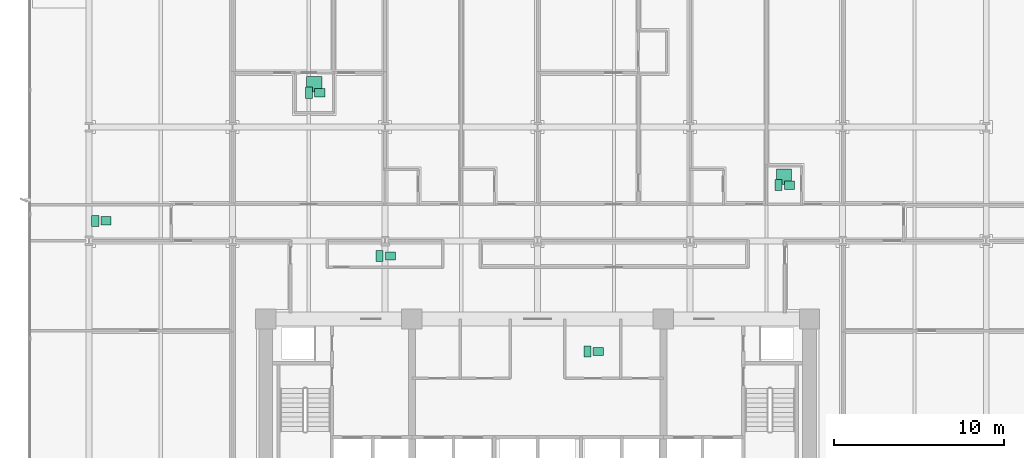
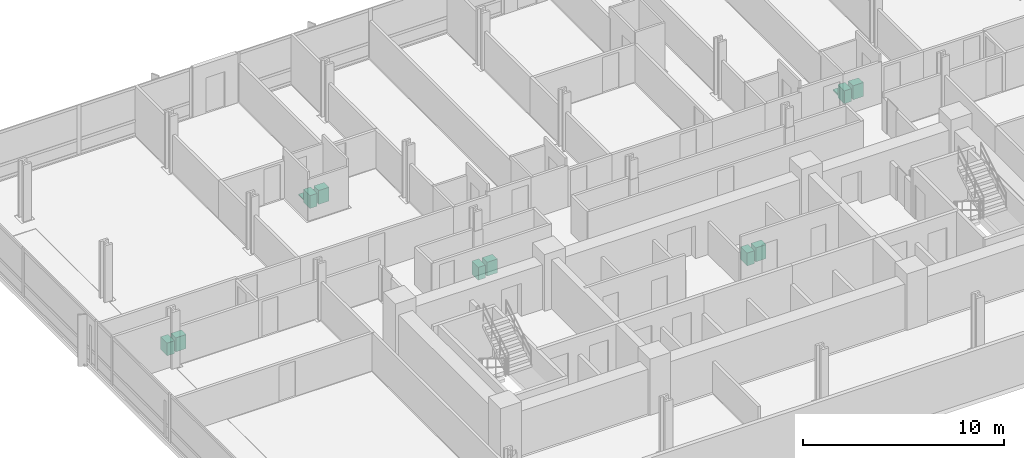
# One storey, part 15 of 15: 12 sanitary terminals.
"""IFC4 building model written with IfcOpenShell, lengths in metres."""

import ifcopenshell
import ifcopenshell.guid

model = None  # the IFC model being written
_history = None  # IfcOwnerHistory: only IFC2X3 demands one
_inside = {}  # id of a spatial element -> (the spatial element, [elements in it])
_under = {}  # id of a project, library or spatial element -> (it, [spatial elements below it])
_declared = {}  # id of a project -> (the project, [libraries it declares])
_typed = {}  # id of a type object -> (the type object, [elements of that type])
_made_of = {}  # id of a material, layer set ... -> (it, [elements and type objects made of it])


def new_model(schema):
    """Start an empty IFC model of exactly this schema.

    Asked for "IFC4X3", IfcOpenShell would pick the latest addendum, in which some entities
    have other attributes; the version numbers below select the first issue.
    IFC2X3 requires an IfcOwnerHistory on every rooted entity: one is made here for all.
    """
    global model, _history
    if schema == "IFC4X3":
        model = ifcopenshell.file(schema_version=(4, 3, 0, 0))
    else:
        model = ifcopenshell.file(schema=schema)
    _inside.clear()
    _under.clear()
    _declared.clear()
    _typed.clear()
    _made_of.clear()
    _history = None
    if model.schema == "IFC2X3":
        org = make("IfcOrganization", Name="unknown")
        user = make(
            "IfcPersonAndOrganization",
            ThePerson=make("IfcPerson", FamilyName="unknown"),
            TheOrganization=org,
        )
        app = make(
            "IfcApplication",
            ApplicationDeveloper=org,
            Version="unknown",
            ApplicationFullName="unknown",
            ApplicationIdentifier="unknown",
        )
        _history = make(
            "IfcOwnerHistory",
            OwningUser=user,
            OwningApplication=app,
            ChangeAction="ADDED",
            CreationDate=0,
        )
    return model


def make(cls, **values):
    """One entity of the class cls with the attributes given. An attribute that is None is left unset."""
    return model.create_entity(
        cls, **{name: value for name, value in values.items() if value is not None}
    )


def rooted(cls, **values):
    """An entity with a GlobalId (a new one), such as an element, a storey or a relation."""
    return make(cls, GlobalId=ifcopenshell.guid.new(), OwnerHistory=_history, **values)


def si_unit(unit_type, name, prefix=None):
    """IfcSIUnit, for example si_unit("LENGTHUNIT", "METRE", prefix="MILLI")."""
    return make("IfcSIUnit", UnitType=unit_type, Prefix=prefix, Name=name)


def assignment(units):
    """IfcUnitAssignment: the units of a project."""
    return None if units is None else make("IfcUnitAssignment", Units=units)


def point(xyz):
    """IfcCartesianPoint."""
    return None if xyz is None else make("IfcCartesianPoint", Coordinates=xyz)


def direction(xyz):
    """IfcDirection."""
    return None if xyz is None else make("IfcDirection", DirectionRatios=xyz)


def frame(location, z_axis=None, x_axis=None):
    """IfcAxis2Placement3D, a coordinate frame: its origin and axes. An axis left out is left unset."""
    return make(
        "IfcAxis2Placement3D",
        Location=point(location),
        Axis=direction(z_axis),
        RefDirection=direction(x_axis),
    )


def frame_2d(location, x_axis=None):
    """IfcAxis2Placement2D, a coordinate frame in the plane: its origin and x axis."""
    return make(
        "IfcAxis2Placement2D", Location=point(location), RefDirection=direction(x_axis)
    )


def origin():
    """The frame at (0, 0, 0) with its axes left unset."""
    return frame((0.0, 0.0, 0.0))


def origin_2d():
    """The frame at (0, 0) in the plane with its x axis left unset."""
    return frame_2d((0.0, 0.0))


def place(relative_to, where):
    """IfcLocalPlacement: puts the frame where relative to a parent placement (None: the world)."""
    return make(
        "IfcLocalPlacement", PlacementRelTo=relative_to, RelativePlacement=where
    )


def context(
    kind, dimensions, precision=None, world=None, true_north=None, identifier=None
):
    """IfcGeometricRepresentationContext, for example the 3D "Model" context."""
    return make(
        "IfcGeometricRepresentationContext",
        ContextIdentifier=identifier,
        ContextType=kind,
        CoordinateSpaceDimension=dimensions,
        Precision=precision,
        WorldCoordinateSystem=world,
        TrueNorth=true_north,
    )


def subcontext(parent, identifier, kind, view, scale=None):
    """IfcGeometricRepresentationSubContext, for example "Body" below "Model"."""
    return make(
        "IfcGeometricRepresentationSubContext",
        ContextIdentifier=identifier,
        ContextType=kind,
        ParentContext=parent,
        TargetScale=scale,
        TargetView=view,
    )


def project(units=None, contexts=None):
    """IfcProject with its units and contexts."""
    return rooted(
        "IfcProject",
        Name="project",
        RepresentationContexts=contexts,
        UnitsInContext=assignment(units),
    )


def spatial(cls, under=None, at=None, **own):
    """A site, building, storey or space (cls), placed at a placement, below another one or the project."""
    s = rooted(cls, ObjectPlacement=at, **own)
    if under is not None:
        _under.setdefault(under.id(), (under, []))[1].append(s)
    return s


def profile(cls, at=None, kind="AREA", **sizes):
    """A parametric profile (cls). Its sizes go by their IFC names, for example OverallWidth=200.0."""
    return make(cls, ProfileType=kind, Position=at, **sizes)


def rectangle(**sizes):
    """IfcRectangleProfileDef."""
    return profile("IfcRectangleProfileDef", **sizes)


def extrude(swept, where, along, depth):
    """IfcExtrudedAreaSolid: the profile swept, set in the frame where, extruded along a direction by depth."""
    return make(
        "IfcExtrudedAreaSolid",
        SweptArea=swept,
        Position=where,
        ExtrudedDirection=direction(along),
        Depth=depth,
    )


def shape(context_of_items, identifier, shape_type, items):
    """IfcShapeRepresentation: the items that make up one representation, for example the "Body"."""
    return make(
        "IfcShapeRepresentation",
        ContextOfItems=context_of_items,
        RepresentationIdentifier=identifier,
        RepresentationType=shape_type,
        Items=items,
    )


def material(Name=None, Category=None):
    """IfcMaterial."""
    return make("IfcMaterial", Name=Name, Category=Category)


def made_of(thing, what):
    """Note that an element or type object is made of a material, layer set ...; save() writes the relation."""
    if what is not None:
        _made_of.setdefault(what.id(), (what, []))[1].append(thing)
    return thing


def type_object(cls, material=None, **own):
    """A type object (cls), such as IfcWallType, which elements share."""
    return made_of(rooted(cls, **own), material)


def element(
    cls,
    number,
    at=None,
    inside=None,
    cuts=None,
    type_object=None,
    material=None,
    context=None,
    identifier="Body",
    shape_type=None,
    held_by="IfcProductDefinitionShape",
    body=None,
    shapes=None,
    **own,
):
    """One element of the class cls, such as IfcWall. Its Tag is "e" and its number.

    at: its placement. inside: the storey or other place that contains it. cuts: it is an
    opening in that element (IfcRelVoidsElement). A single representation is given by context,
    identifier, shape_type and body (its items); several are given by shapes. held_by: the class
    of the entity that holds the representations. save() writes the other relations.
    """
    e = rooted(cls, Tag="e%d" % number, ObjectPlacement=at, **own)
    if body is not None:
        shapes = [shape(context, identifier, shape_type, body)]
    if shapes is not None:
        e.Representation = make(held_by, Representations=shapes)
    if inside is not None:
        _inside.setdefault(inside.id(), (inside, []))[1].append(e)
    if cuts is not None:
        rooted(
            "IfcRelVoidsElement", RelatingBuildingElement=cuts, RelatedOpeningElement=e
        )
    if type_object is not None:
        _typed.setdefault(type_object.id(), (type_object, []))[1].append(e)
    return made_of(e, material)


def aggregate(whole, parts):
    """IfcRelAggregates: a whole, such as a stair, and the parts it consists of."""
    return rooted("IfcRelAggregates", RelatingObject=whole, RelatedObjects=parts)


def save(model, path):
    """Write the relations noted so far, then the file.

    IfcRelAggregates (storeys below a building ...), IfcRelContainedInSpatialStructure (elements
    in a storey), IfcRelDefinesByType, IfcRelAssociatesMaterial and IfcRelDeclares: one each for
    every whole, place, type object, material and project.
    """
    for whole, parts in _under.values():
        aggregate(whole, parts)
    for where, things in _inside.values():
        rooted(
            "IfcRelContainedInSpatialStructure",
            RelatedElements=things,
            RelatingStructure=where,
        )
    for kind, things in _typed.values():
        rooted("IfcRelDefinesByType", RelatedObjects=things, RelatingType=kind)
    for what, things in _made_of.values():
        rooted("IfcRelAssociatesMaterial", RelatedObjects=things, RelatingMaterial=what)
    for by, libraries in _declared.values():
        rooted("IfcRelDeclares", RelatingContext=by, RelatedDefinitions=libraries)
    model.write(path)


model = new_model("IFC4")

# Units and contexts
model_context = context("Model", 3, precision=1e-05, world=origin(), true_north=direction((0.0, 1.0)))
body_context = subcontext(model_context, "Body", "Model", "MODEL_VIEW")
ifc_project = project(units=[si_unit("LENGTHUNIT", "METRE"), si_unit("AREAUNIT", "SQUARE_METRE"), si_unit("VOLUMEUNIT", "CUBIC_METRE"), si_unit("PLANEANGLEUNIT", "RADIAN"), si_unit("MASSUNIT", "GRAM", prefix="KILO")], contexts=[model_context])

# Site, building, storey
site_placement = place(None, origin())
site = spatial("IfcSite", under=ifc_project, at=site_placement, CompositionType="ELEMENT")
building_placement = place(site_placement, origin())
building = spatial("IfcBuilding", under=site, at=building_placement, Name="Solmavex Isthmus Hotel", CompositionType="ELEMENT")
storey_placement = place(building_placement, frame((0.0, 0.0, 71.25)))
storey = spatial("IfcBuildingStorey", under=building, at=storey_placement, Name="L19", CompositionType="ELEMENT", Elevation=71.25)

# Sanitary terminals
ifc_material = material(Name="Vitreous china ceramic", Category="ceramic")
sanitary_terminal_type_1 = type_object("IfcSanitaryTerminalType", Name="SAN-BASIN", PredefinedType="WASHHANDBASIN", material=ifc_material)
for number, where, z_axis, x_axis, name in (
    (1, (3.570068359375, -4.409912109375, 0.0), (0.0, 0.0, 1.0), (1.0, 0.0, 0.0), "Vanity Washbasin L19-88"),
    (2, (-12.819091796875, 10.81298828125, 0.0), (0.0, 0.0, 1.0), (1.0, 0.0, 0.0), "Vanity Washbasin L19-89"),
    (3, (14.816162109375, 5.375, 0.0), (0.0, 0.0, 1.0), (1.0, 0.0, 0.0), "Vanity Washbasin L19-90"),
    (4, (-8.666015625, 1.21240234375, 0.0), (0.0, 0.0, 1.0), (1.0, 0.0, 0.0), "Vanity Washbasin L19-91"),
    (5, (-25.39599609375, 3.277587890625, 0.0), (0.0, 0.0, 1.0), (1.0, 0.0, 0.0), "Vanity Washbasin L19-92"),
):
    element("IfcSanitaryTerminal", number, at=place(storey_placement, frame(where, z_axis=z_axis, x_axis=x_axis)), inside=storey, type_object=sanitary_terminal_type_1, Name=name, PredefinedType="WASHHANDBASIN", context=body_context, shape_type="SweptSolid", body=[
        extrude(rectangle(XDim=0.60009765625, YDim=0.47998046875, at=origin_2d()), origin(), (0.0, 0.0, 1.0), 0.85009765625),
    ])
sanitary_terminal_type_2 = type_object("IfcSanitaryTerminalType", Name="SAN-SHOWER", PredefinedType="SHOWER", material=ifc_material)
for number, where, z_axis, x_axis, name in (
    (6, (-13.138916015625, 11.31298828125, 0.0), (0.0, 0.0, 1.0), (1.0, 0.0, 0.0), "Walk-In Shower L19-89"),
    (7, (14.49609375, 5.875, 0.0), (0.0, 0.0, 1.0), (1.0, 0.0, 0.0), "Walk-In Shower L19-90"),
):
    element("IfcSanitaryTerminal", number, at=place(storey_placement, frame(where, z_axis=z_axis, x_axis=x_axis)), inside=storey, type_object=sanitary_terminal_type_2, Name=name, PredefinedType="SHOWER", context=body_context, shape_type="SweptSolid", body=[
        extrude(rectangle(XDim=0.89990234375, YDim=0.89990234375, at=origin_2d()), origin(), (0.0, 0.0, 1.0), 0.080078125),
    ])
sanitary_terminal_type_3 = type_object("IfcSanitaryTerminalType", Name="SAN-WC-SUITE", PredefinedType="TOILETPAN", material=ifc_material)
for number, where, z_axis, x_axis, name in (
    (8, (2.929931640625, -4.409912109375, 0.0), (0.0, 0.0, 1.0), (1.0, 0.0, 0.0), "Water Closet L19-88"),
    (9, (-13.458984375, 10.81298828125, 0.0), (0.0, 0.0, 1.0), (1.0, 0.0, 0.0), "Water Closet L19-89"),
    (10, (14.17626953125, 5.375, 0.0), (0.0, 0.0, 1.0), (1.0, 0.0, 0.0), "Water Closet L19-90"),
    (11, (-9.305908203125, 1.21240234375, 0.0), (0.0, 0.0, 1.0), (1.0, 0.0, 0.0), "Water Closet L19-91"),
    (12, (-26.035888671875, 3.277587890625, 0.0), (0.0, 0.0, 1.0), (1.0, 0.0, 0.0), "Water Closet L19-92"),
):
    element("IfcSanitaryTerminal", number, at=place(storey_placement, frame(where, z_axis=z_axis, x_axis=x_axis)), inside=storey, type_object=sanitary_terminal_type_3, Name=name, PredefinedType="TOILETPAN", context=body_context, shape_type="SweptSolid", body=[
        extrude(rectangle(XDim=0.419921875, YDim=0.64990234375, at=origin_2d()), origin(), (0.0, 0.0, 1.0), 0.780029296875),
    ])

save(model, "model.ifc")
